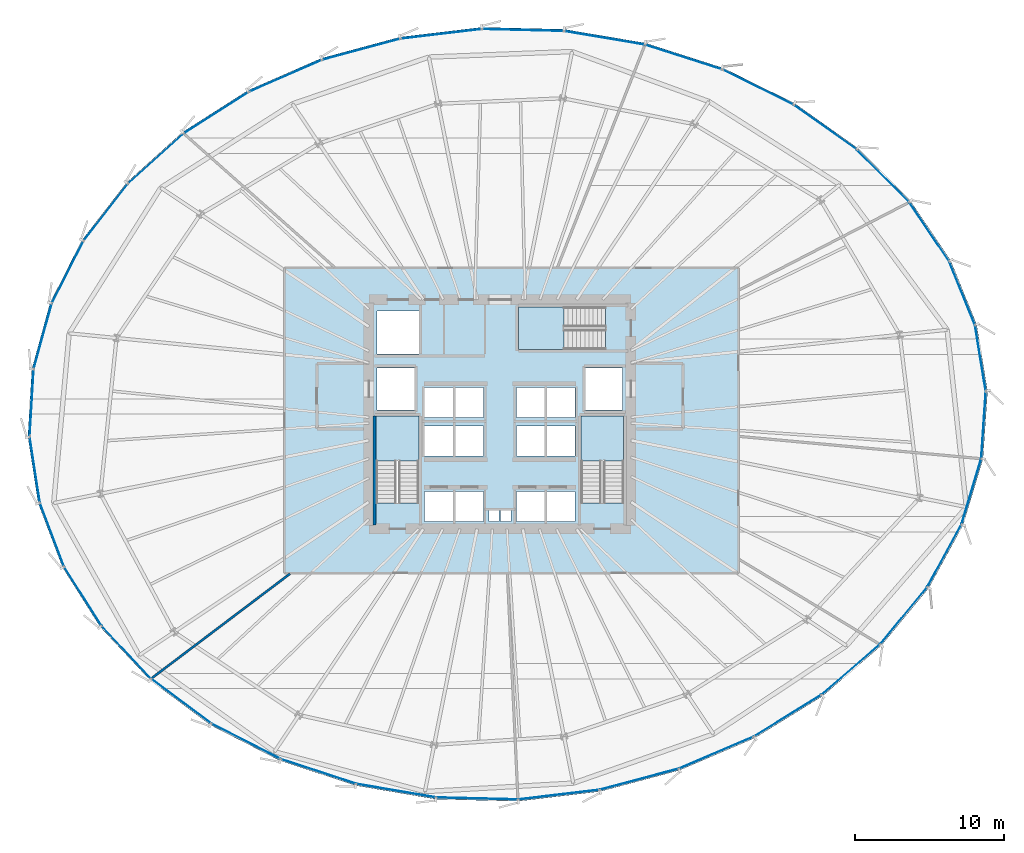
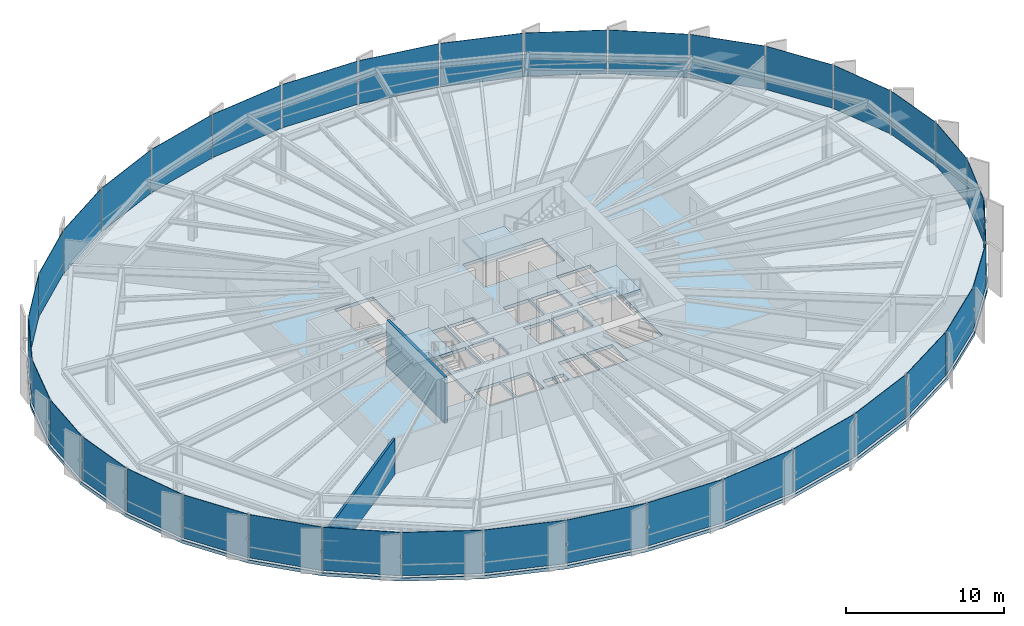
# One storey, part 29 of 39: 36 plates, 4 slabs, 2 walls, 9 elements without a shape of their own.
"""IFC4 building model written with IfcOpenShell, lengths in metres."""

from ifc_helpers import new_model, si_unit, direction, frame, frame_2d, origin, origin_2d, place, context, subcontext, project, spatial, polyline, rectangle, outline, extrude, source, transform, mapped, material, layer, layer_set, type_object, element, aggregate, save


model = new_model("IFC4")

# Units and contexts
model_context = context("Model", 3, precision=1e-05, world=origin(), true_north=direction((0.0, 1.0)))
body_context = subcontext(model_context, "Body", "Model", "MODEL_VIEW")
ifc_project = project(units=[si_unit("LENGTHUNIT", "METRE"), si_unit("AREAUNIT", "SQUARE_METRE"), si_unit("VOLUMEUNIT", "CUBIC_METRE"), si_unit("PLANEANGLEUNIT", "RADIAN"), si_unit("MASSUNIT", "GRAM", prefix="KILO"), si_unit("THERMODYNAMICTEMPERATUREUNIT", "KELVIN")], contexts=[model_context])

# Site, building, storey
site_placement = place(None, origin())
site = spatial("IfcSite", under=ifc_project, at=site_placement, CompositionType="ELEMENT")
building_placement = place(site_placement, origin())
building = spatial("IfcBuilding", under=site, at=building_placement, Name="Kethvar Cultural Tower", CompositionType="ELEMENT")
storey_placement = place(building_placement, frame((0.0, 0.0, 41.0)))
storey = spatial("IfcBuildingStorey", under=building, at=storey_placement, Name="L09", CompositionType="ELEMENT", Elevation=41.0)

# Stair, slab
ifc_material_1 = material(Name="Concrete C40/50", Category="concrete")
stair_type = type_object("IfcStairType", Name="ST-DOGLEG-135", PredefinedType="HALF_TURN_STAIR", material=ifc_material_1)
stair_1_placement = place(storey_placement, origin())
stair_1 = element("IfcStair", 1, at=stair_1_placement, inside=storey, type_object=stair_type, Name="L09 Core Exit Stair 1", PredefinedType="HALF_TURN_STAIR")
ifc_layer_1 = layer(ifc_material_1, 0.199951171875, Name="Concrete C40/50", Category="concrete")
ifc_layer_set_1 = layer_set([ifc_layer_1], Name="Concrete C40/50 (200 mm)")
slab_type_1 = type_object("IfcSlabType", Name="SL-STAIR-LANDING-200", PredefinedType="LANDING", material=ifc_layer_set_1)
slab_1_placement = place(storey_placement, frame((0.0, 0.0, 1.699951171875)))
slab_1 = element("IfcSlab", 2, at=slab_1_placement, type_object=slab_type_1, Name="ST-01 landing 1", PredefinedType="LANDING", context=body_context, shape_type="SweptSolid", body=[
    extrude(outline(polyline([(41.35009765625, 24.64990234375), (41.35009765625, 27.699951171875), (38.489990234375, 27.699951171875), (38.489990234375, 24.64990234375), (41.35009765625, 24.64990234375)])), origin(), (0.0, 0.0, 1.0), 0.199951171875),
])
aggregate(stair_1, [slab_1])

stair_2_placement = place(storey_placement, origin())
stair_2 = element("IfcStair", 3, at=stair_2_placement, inside=storey, type_object=stair_type, Name="L09 Core Exit Stair 2", PredefinedType="HALF_TURN_STAIR")
slab_2_placement = place(storey_placement, frame((0.0, 0.0, 1.699951171875)))
slab_2 = element("IfcSlab", 4, at=slab_2_placement, type_object=slab_type_1, Name="ST-02 landing 1", PredefinedType="LANDING", context=body_context, shape_type="SweptSolid", body=[
    extrude(outline(polyline([(55.110107421875, 24.64990234375), (55.110107421875, 27.699951171875), (52.25, 27.699951171875), (52.25, 24.64990234375), (55.110107421875, 24.64990234375)])), origin(), (0.0, 0.0, 1.0), 0.199951171875),
])
aggregate(stair_2, [slab_2])

stair_3_placement = place(storey_placement, origin())
stair_3 = element("IfcStair", 5, at=stair_3_placement, inside=storey, type_object=stair_type, Name="L09 Core Exit Stair 3", PredefinedType="HALF_TURN_STAIR")
slab_3_placement = place(storey_placement, frame((0.0, 0.0, 1.699951171875)))
slab_3 = element("IfcSlab", 6, at=slab_3_placement, type_object=slab_type_1, Name="ST-03 landing 1", PredefinedType="LANDING", context=body_context, shape_type="SweptSolid", body=[
    extrude(outline(polyline([(51.10009765625, 35.010009765625), (48.050048828125, 35.010009765625), (48.050048828125, 32.14990234375), (51.10009765625, 32.14990234375), (51.10009765625, 35.010009765625)])), origin(), (0.0, 0.0, 1.0), 0.199951171875),
])
aggregate(stair_3, [slab_3])

# Slab
ifc_layer_2 = layer(ifc_material_1, 0.25, Name="Concrete C40/50", Category="concrete")
ifc_layer_set_2 = layer_set([ifc_layer_2], Name="Concrete C40/50 (250 mm)")
slab_type_2 = type_object("IfcSlabType", Name="SL-TOW-250", PredefinedType="FLOOR", material=ifc_layer_set_2)
slab_4_placement = place(storey_placement, frame((0.0, 0.0, -0.25)))
element("IfcSlab", 7, at=slab_4_placement, inside=storey, type_object=slab_type_2, Name="L09 Structural Floor Slab", PredefinedType="FLOOR", context=body_context, shape_type="SweptSolid", body=[
    extrude(outline(polyline([(79.55859375, 29.344970703125), (78.824462890625, 33.834228515625), (77.07568359375, 38.13818359375), (74.380615234375, 42.126953125), (70.841796875, 45.68017578125), (66.5908203125, 48.69091796875), (61.778564453125, 51.068603515625), (56.565185546875, 52.741943359375), (51.1123046875, 53.66015625), (45.57421875, 53.794921875), (40.08642578125, 53.14013671875), (34.802734375, 51.7158203125), (29.883544921875, 49.564453125), (25.478271484375, 46.751953125), (21.720947265625, 43.363525390625), (18.7255859375, 39.502197265625), (16.58349609375, 35.285400390625), (15.359130859375, 30.84130859375), (15.09033203125, 26.3046875), (15.784912109375, 21.8134765625), (17.421875, 17.504150390625), (19.95166015625, 13.507568359375), (23.297119140625, 9.9453125), (27.3564453125, 6.925537109375), (32.0068359375, 4.540283203125), (37.106689453125, 2.861328125), (42.5009765625, 1.9404296875), (48.02587890625, 1.80517578125), (53.52685546875, 2.46044921875), (58.869140625, 3.8876953125), (63.90185546875, 6.044189453125), (68.468994140625, 8.864501953125), (72.417724609375, 12.26171875), (75.6064453125, 16.132080078125), (77.914306640625, 20.356689453125), (79.250244140625, 24.806396484375), (79.55859375, 29.344970703125)]), holes=[polyline([(38.489990234375, 21.85009765625), (38.489990234375, 27.699951171875), (41.35009765625, 27.699951171875), (41.35009765625, 21.85009765625), (38.489990234375, 21.85009765625)]), polyline([(52.25, 21.85009765625), (52.25, 27.699951171875), (55.110107421875, 27.699951171875), (55.110107421875, 21.85009765625), (52.25, 21.85009765625)]), polyline([(53.89990234375, 32.14990234375), (48.050048828125, 32.14990234375), (48.050048828125, 35.010009765625), (53.89990234375, 35.010009765625), (53.89990234375, 32.14990234375)]), polyline([(41.75, 22.60009765625), (43.64990234375, 22.60009765625), (43.64990234375, 20.60009765625), (41.75, 20.60009765625), (41.75, 22.60009765625)]), polyline([(43.800048828125, 22.60009765625), (45.699951171875, 22.60009765625), (45.699951171875, 20.60009765625), (43.800048828125, 20.60009765625), (43.800048828125, 22.60009765625)]), polyline([(47.89990234375, 22.60009765625), (49.800048828125, 22.60009765625), (49.800048828125, 20.60009765625), (47.89990234375, 20.60009765625), (47.89990234375, 22.60009765625)]), polyline([(49.949951171875, 22.60009765625), (51.85009765625, 22.60009765625), (51.85009765625, 20.60009765625), (49.949951171875, 20.60009765625), (49.949951171875, 22.60009765625)]), polyline([(41.75, 27.0), (43.64990234375, 27.0), (43.64990234375, 25.0), (41.75, 25.0), (41.75, 27.0)]), polyline([(43.800048828125, 27.0), (45.699951171875, 27.0), (45.699951171875, 25.0), (43.800048828125, 25.0), (43.800048828125, 27.0)]), polyline([(47.89990234375, 27.0), (49.800048828125, 27.0), (49.800048828125, 25.0), (47.89990234375, 25.0), (47.89990234375, 27.0)]), polyline([(49.949951171875, 27.0), (51.85009765625, 27.0), (51.85009765625, 25.0), (49.949951171875, 25.0), (49.949951171875, 27.0)]), polyline([(41.75, 29.60009765625), (43.64990234375, 29.60009765625), (43.64990234375, 27.60009765625), (41.75, 27.60009765625), (41.75, 29.60009765625)]), polyline([(43.800048828125, 29.60009765625), (45.699951171875, 29.60009765625), (45.699951171875, 27.60009765625), (43.800048828125, 27.60009765625), (43.800048828125, 29.60009765625)]), polyline([(47.89990234375, 29.60009765625), (49.800048828125, 29.60009765625), (49.800048828125, 27.60009765625), (47.89990234375, 27.60009765625), (47.89990234375, 29.60009765625)]), polyline([(49.949951171875, 29.60009765625), (51.85009765625, 29.60009765625), (51.85009765625, 27.60009765625), (49.949951171875, 27.60009765625), (49.949951171875, 29.60009765625)]), polyline([(38.550048828125, 30.89990234375), (41.050048828125, 30.89990234375), (41.050048828125, 28.10009765625), (38.550048828125, 28.10009765625), (38.550048828125, 30.89990234375)]), polyline([(52.550048828125, 30.89990234375), (55.050048828125, 30.89990234375), (55.050048828125, 28.10009765625), (52.550048828125, 28.10009765625), (52.550048828125, 30.89990234375)]), polyline([(38.550048828125, 34.75), (41.35009765625, 34.75), (41.35009765625, 31.85009765625), (38.550048828125, 31.85009765625), (38.550048828125, 34.75)]), polyline([(46.050048828125, 21.35009765625), (46.75, 21.35009765625), (46.75, 20.60009765625), (46.050048828125, 20.60009765625), (46.050048828125, 21.35009765625)]), polyline([(46.85009765625, 21.35009765625), (47.550048828125, 21.35009765625), (47.550048828125, 20.60009765625), (46.85009765625, 20.60009765625), (46.85009765625, 21.35009765625)])]), origin(), (0.0, 0.0, 1.0), 0.25),
])

# Curtain wall, plate
ifc_material_2 = material(Name="Aluminium 6063-T6", Category="aluminium")
ifc_layer_3 = layer(ifc_material_2, 0.179931640625, Name="Aluminium 6063-T6", Category="aluminium")
ifc_layer_set_3 = layer_set([ifc_layer_3], Name="Aluminium 6063-T6 (180 mm)")
curtain_wall_type = type_object("IfcCurtainWallType", Name="CW-SYS-02-Z1", PredefinedType="NOTDEFINED", material=ifc_layer_set_3)
curtain_wall_1_placement = place(storey_placement, origin())
curtain_wall_1 = element("IfcCurtainWall", 8, at=curtain_wall_1_placement, inside=storey, type_object=curtain_wall_type, Name="L09 Curtain Wall Run 01", PredefinedType="NOTDEFINED")
ifc_material_3 = material(Name="Insulated Low-E Solar Glass", Category="glass")
ifc_layer_4 = layer(ifc_material_3, 0.031982421875, Name="Insulated Low-E Solar Glass", Category="glass")
ifc_layer_set_4 = layer_set([ifc_layer_4], Name="Insulated Low-E Solar Glass (32 mm)")
plate_type = type_object("IfcPlateType", Name="CW-SYS-02-Z1-PNL", PredefinedType="CURTAIN_PANEL", material=ifc_layer_set_4)
shared_shape_1 = source(origin(), body_context, "Body", "SweptSolid", [
    extrude(rectangle(XDim=4.455322265625, YDim=0.031982421875, at=origin_2d()), origin(), (0.0, 0.0, 1.0), 3.35009765625),
])
plate_1_placement = place(storey_placement, frame((79.072998046875, 31.5703125, 0.099853515625), z_axis=(0.0, 0.0, 1.0), x_axis=(-0.161362681941, 0.986895174209, 0.0)))
plate_1 = element("IfcPlate", 9, at=plate_1_placement, type_object=plate_type, Name="CW-L09-R01 Vision Glazing Panel 1", PredefinedType="CURTAIN_PANEL", context=body_context, shape_type="MappedRepresentation", body=[
    mapped(shared_shape_1, transform((0.0, 0.0, 0.0), scale=1.0)),
])

curtain_wall_2_placement = place(storey_placement, origin())
curtain_wall_2 = element("IfcCurtainWall", 10, at=curtain_wall_2_placement, inside=storey, type_object=curtain_wall_type, Name="L09 Curtain Wall Run 06", PredefinedType="NOTDEFINED")
plate_2_placement = place(storey_placement, frame((79.28466796875, 27.083740234375, 0.099853515625), z_axis=(0.0, 0.0, 1.0), x_axis=(0.067754095204, 0.997702051007, 0.0)))
plate_2 = element("IfcPlate", 11, at=plate_2_placement, type_object=plate_type, Name="CW-L09-R06 Vision Glazing Panel 6", PredefinedType="CURTAIN_PANEL", context=body_context, shape_type="MappedRepresentation", body=[
    mapped(shared_shape_1, transform((0.0, 0.0, 0.0), scale=1.0)),
])

# Plate
shared_shape_2 = source(origin(), body_context, "Body", "SweptSolid", [
    extrude(rectangle(XDim=4.55224609375, YDim=0.031982421875, at=origin_2d()), origin(), (0.0, 0.0, 1.0), 3.35009765625),
])
plate_3_placement = place(storey_placement, frame((77.839111328125, 35.941162109375, 0.099853515625), z_axis=(0.0, 0.0, 1.0), x_axis=(-0.376402136932, 0.926456383924, 0.0)))
plate_3 = element("IfcPlate", 12, at=plate_3_placement, type_object=plate_type, Name="CW-L09-R01 Vision Glazing Panel 2", PredefinedType="CURTAIN_PANEL", context=body_context, shape_type="MappedRepresentation", body=[
    mapped(shared_shape_2, transform((0.0, 0.0, 0.0), scale=1.0)),
])

plate_4_placement = place(storey_placement, frame((78.46728515625, 22.6162109375, 0.099853515625), z_axis=(0.0, 0.0, 1.0), x_axis=(0.28756111942, 0.957762289192, 0.0)))
plate_4 = element("IfcPlate", 13, at=plate_4_placement, type_object=plate_type, Name="CW-L09-R06 Vision Glazing Panel 5", PredefinedType="CURTAIN_PANEL", context=body_context, shape_type="MappedRepresentation", body=[
    mapped(shared_shape_2, transform((0.0, 0.0, 0.0), scale=1.0)),
])

shared_shape_3 = source(origin(), body_context, "Body", "SweptSolid", [
    extrude(rectangle(XDim=4.72021484375, YDim=0.031982421875, at=origin_2d()), origin(), (0.0, 0.0, 1.0), 3.35009765625),
])
plate_5_placement = place(storey_placement, frame((75.628662109375, 40.0654296875, 0.099853515625), z_axis=(0.0, 0.0, 1.0), x_axis=(-0.559887240051, 0.828568813333, 0.0)))
plate_5 = element("IfcPlate", 14, at=plate_5_placement, type_object=plate_type, Name="CW-L09-R01 Vision Glazing Panel 3", PredefinedType="CURTAIN_PANEL", context=body_context, shape_type="MappedRepresentation", body=[
    mapped(shared_shape_3, transform((0.0, 0.0, 0.0), scale=1.0)),
])

shared_shape_4 = source(origin(), body_context, "Body", "SweptSolid", [
    extrude(rectangle(XDim=4.921142578125, YDim=0.031982421875, at=origin_2d()), origin(), (0.0, 0.0, 1.0), 3.35009765625),
])
plate_6_placement = place(storey_placement, frame((72.526123046875, 43.81884765625, 0.099853515625), z_axis=(0.0, 0.0, 1.0), x_axis=(-0.70567373736, 0.708536926631, 0.0)))
plate_6 = element("IfcPlate", 15, at=plate_6_placement, type_object=plate_type, Name="CW-L09-R01 Vision Glazing Panel 4", PredefinedType="CURTAIN_PANEL", context=body_context, shape_type="MappedRepresentation", body=[
    mapped(shared_shape_4, transform((0.0, 0.0, 0.0), scale=1.0)),
])

plate_7_placement = place(storey_placement, frame((73.91943359375, 14.273193359375, 0.099853515625), z_axis=(0.0, 0.0, 1.0), x_axis=(0.635862717246, 0.771802179847, 0.0)))
plate_7 = element("IfcPlate", 16, at=plate_7_placement, type_object=plate_type, Name="CW-L09-R06 Vision Glazing Panel 3", PredefinedType="CURTAIN_PANEL", context=body_context, shape_type="MappedRepresentation", body=[
    mapped(shared_shape_4, transform((0.0, 0.0, 0.0), scale=1.0)),
])

shared_shape_5 = source(origin(), body_context, "Body", "SweptSolid", [
    extrude(rectangle(XDim=5.115478515625, YDim=0.031982421875, at=origin_2d()), origin(), (0.0, 0.0, 1.0), 3.35009765625),
])
plate_8_placement = place(storey_placement, frame((68.64697265625, 47.08740234375, 0.099853515625), z_axis=(0.0, 0.0, 1.0), x_axis=(-0.816046810348, 0.577985815847, 0.0)))
plate_8 = element("IfcPlate", 17, at=plate_8_placement, type_object=plate_type, Name="CW-L09-R01 Vision Glazing Panel 5", PredefinedType="CURTAIN_PANEL", context=body_context, shape_type="MappedRepresentation", body=[
    mapped(shared_shape_5, transform((0.0, 0.0, 0.0), scale=1.0)),
])

plate_9_placement = place(storey_placement, frame((70.364990234375, 10.654052734375, 0.099853515625), z_axis=(0.0, 0.0, 1.0), x_axis=(0.758031895467, 0.652217483248, 0.0)))
plate_9 = element("IfcPlate", 18, at=plate_9_placement, type_object=plate_type, Name="CW-L09-R06 Vision Glazing Panel 2", PredefinedType="CURTAIN_PANEL", context=body_context, shape_type="MappedRepresentation", body=[
    mapped(shared_shape_5, transform((0.0, 0.0, 0.0), scale=1.0)),
])

shared_shape_6 = source(origin(), body_context, "Body", "SweptSolid", [
    extrude(rectangle(XDim=5.274169921875, YDim=0.031982421875, at=origin_2d()), origin(), (0.0, 0.0, 1.0), 3.35009765625),
])
plate_10_placement = place(storey_placement, frame((64.131591796875, 49.772216796875, 0.099853515625), z_axis=(0.0, 0.0, 1.0), x_axis=(-0.896532823774, 0.442977308555, 0.0)))
plate_10 = element("IfcPlate", 19, at=plate_10_placement, type_object=plate_type, Name="CW-L09-R01 Vision Glazing Panel 6", PredefinedType="CURTAIN_PANEL", context=body_context, shape_type="MappedRepresentation", body=[
    mapped(shared_shape_6, transform((0.0, 0.0, 0.0), scale=1.0)),
])

aggregate(curtain_wall_1, [plate_1, plate_3, plate_5, plate_6, plate_8, plate_10])

# Curtain wall, plate
curtain_wall_3_placement = place(storey_placement, origin())
curtain_wall_3 = element("IfcCurtainWall", 20, at=curtain_wall_3_placement, inside=storey, type_object=curtain_wall_type, Name="L09 Curtain Wall Run 02", PredefinedType="NOTDEFINED")
shared_shape_7 = source(origin(), body_context, "Body", "SweptSolid", [
    extrude(rectangle(XDim=5.3818359375, YDim=0.031982421875, at=origin_2d()), origin(), (0.0, 0.0, 1.0), 3.35009765625),
])
plate_11_placement = place(storey_placement, frame((59.13525390625, 51.791015625, 0.099853515625), z_axis=(0.0, 0.0, 1.0), x_axis=(-0.952161399859, 0.30559559653, 0.0)))
plate_11 = element("IfcPlate", 21, at=plate_11_placement, type_object=plate_type, Name="CW-L09-R02 Vision Glazing Panel 1", PredefinedType="CURTAIN_PANEL", context=body_context, shape_type="MappedRepresentation", body=[
    mapped(shared_shape_7, transform((0.0, 0.0, 0.0), scale=1.0)),
])

curtain_wall_4_placement = place(storey_placement, origin())
curtain_wall_4 = element("IfcCurtainWall", 22, at=curtain_wall_4_placement, inside=storey, type_object=curtain_wall_type, Name="L09 Curtain Wall Run 05", PredefinedType="NOTDEFINED")
plate_12_placement = place(storey_placement, frame((61.33837890625, 5.076416015625, 0.099853515625), z_axis=(0.0, 0.0, 1.0), x_axis=(0.919162839349, 0.393877740879, 0.0)))
plate_12 = element("IfcPlate", 23, at=plate_12_placement, type_object=plate_type, Name="CW-L09-R05 Vision Glazing Panel 6", PredefinedType="CURTAIN_PANEL", context=body_context, shape_type="MappedRepresentation", body=[
    mapped(shared_shape_7, transform((0.0, 0.0, 0.0), scale=1.0)),
])

# Plate
shared_shape_8 = source(origin(), body_context, "Body", "SweptSolid", [
    extrude(rectangle(XDim=5.43603515625, YDim=0.031982421875, at=origin_2d()), origin(), (0.0, 0.0, 1.0), 3.35009765625),
])
plate_13_placement = place(storey_placement, frame((53.818603515625, 53.082763671875, 0.099853515625), z_axis=(0.0, 0.0, 1.0), x_axis=(-0.986115121827, 0.166063140111, 0.0)))
plate_13 = element("IfcPlate", 24, at=plate_13_placement, type_object=plate_type, Name="CW-L09-R02 Vision Glazing Panel 2", PredefinedType="CURTAIN_PANEL", context=body_context, shape_type="MappedRepresentation", body=[
    mapped(shared_shape_8, transform((0.0, 0.0, 0.0), scale=1.0)),
])

plate_14_placement = place(storey_placement, frame((56.1669921875, 3.2900390625, 0.099853515625), z_axis=(0.0, 0.0, 1.0), x_axis=(0.966115291023, 0.258110915016, 0.0)))
plate_14 = element("IfcPlate", 25, at=plate_14_placement, type_object=plate_type, Name="CW-L09-R05 Vision Glazing Panel 5", PredefinedType="CURTAIN_PANEL", context=body_context, shape_type="MappedRepresentation", body=[
    mapped(shared_shape_8, transform((0.0, 0.0, 0.0), scale=1.0)),
])

shared_shape_9 = source(origin(), body_context, "Body", "SweptSolid", [
    extrude(rectangle(XDim=5.446044921875, YDim=0.031982421875, at=origin_2d()), origin(), (0.0, 0.0, 1.0), 3.35009765625),
])
plate_15_placement = place(storey_placement, frame((48.340087890625, 53.607666015625, 0.099853515625), z_axis=(0.0, 0.0, 1.0), x_axis=(-0.999704891412, 0.024292593255, 0.0)))
plate_15 = element("IfcPlate", 26, at=plate_15_placement, type_object=plate_type, Name="CW-L09-R02 Vision Glazing Panel 3", PredefinedType="CURTAIN_PANEL", context=body_context, shape_type="MappedRepresentation", body=[
    mapped(shared_shape_9, transform((0.0, 0.0, 0.0), scale=1.0)),
])

plate_16_placement = place(storey_placement, frame((50.76220703125, 2.251953125, 0.099853515625), z_axis=(0.0, 0.0, 1.0), x_axis=(0.99298203074, 0.118265323013, 0.0)))
plate_16 = element("IfcPlate", 27, at=plate_16_placement, type_object=plate_type, Name="CW-L09-R05 Vision Glazing Panel 4", PredefinedType="CURTAIN_PANEL", context=body_context, shape_type="MappedRepresentation", body=[
    mapped(shared_shape_9, transform((0.0, 0.0, 0.0), scale=1.0)),
])

shared_shape_10 = source(origin(), body_context, "Body", "SweptSolid", [
    extrude(rectangle(XDim=5.432861328125, YDim=0.031982421875, at=origin_2d()), origin(), (0.0, 0.0, 1.0), 3.35009765625),
])
plate_17_placement = place(storey_placement, frame((42.844482421875, 53.348388671875, 0.099853515625), z_axis=(0.0, 0.0, 1.0), x_axis=(-0.992961374423, -0.118438629269, 0.0)))
plate_17 = element("IfcPlate", 28, at=plate_17_placement, type_object=plate_type, Name="CW-L09-R02 Vision Glazing Panel 4", PredefinedType="CURTAIN_PANEL", context=body_context, shape_type="MappedRepresentation", body=[
    mapped(shared_shape_10, transform((0.0, 0.0, 0.0), scale=1.0)),
])

shared_shape_11 = source(origin(), body_context, "Body", "SweptSolid", [
    extrude(rectangle(XDim=5.37890625, YDim=0.031982421875, at=origin_2d()), origin(), (0.0, 0.0, 1.0), 3.35009765625),
])
plate_18_placement = place(storey_placement, frame((37.475830078125, 52.31201171875, 0.099853515625), z_axis=(0.0, 0.0, 1.0), x_axis=(-0.96552716964, -0.260302294816, 0.0)))
plate_18 = element("IfcPlate", 29, at=plate_18_placement, type_object=plate_type, Name="CW-L09-R02 Vision Glazing Panel 5", PredefinedType="CURTAIN_PANEL", context=body_context, shape_type="MappedRepresentation", body=[
    mapped(shared_shape_11, transform((0.0, 0.0, 0.0), scale=1.0)),
])

plate_19_placement = place(storey_placement, frame((39.823974609375, 2.519287109375, 0.099853515625), z_axis=(0.0, 0.0, 1.0), x_axis=(0.985738735803, -0.168282930619, 0.0)))
plate_19 = element("IfcPlate", 30, at=plate_19_placement, type_object=plate_type, Name="CW-L09-R05 Vision Glazing Panel 2", PredefinedType="CURTAIN_PANEL", context=body_context, shape_type="MappedRepresentation", body=[
    mapped(shared_shape_11, transform((0.0, 0.0, 0.0), scale=1.0)),
])

shared_shape_12 = source(origin(), body_context, "Body", "SweptSolid", [
    extrude(rectangle(XDim=5.275390625, YDim=0.031982421875, at=origin_2d()), origin(), (0.0, 0.0, 1.0), 3.35009765625),
])
plate_20_placement = place(storey_placement, frame((32.39111328125, 50.530029296875, 0.099853515625), z_axis=(0.0, 0.0, 1.0), x_axis=(-0.916215932431, -0.400684870141, 0.0)))
plate_20 = element("IfcPlate", 31, at=plate_20_placement, type_object=plate_type, Name="CW-L09-R02 Vision Glazing Panel 6", PredefinedType="CURTAIN_PANEL", context=body_context, shape_type="MappedRepresentation", body=[
    mapped(shared_shape_12, transform((0.0, 0.0, 0.0), scale=1.0)),
])

aggregate(curtain_wall_3, [plate_11, plate_13, plate_15, plate_17, plate_18, plate_20])

plate_21_placement = place(storey_placement, frame((34.59423828125, 3.814697265625, 0.099853515625), z_axis=(0.0, 0.0, 1.0), x_axis=(0.949857510993, -0.312683080468, 0.0)))
plate_21 = element("IfcPlate", 32, at=plate_21_placement, type_object=plate_type, Name="CW-L09-R05 Vision Glazing Panel 1", PredefinedType="CURTAIN_PANEL", context=body_context, shape_type="MappedRepresentation", body=[
    mapped(shared_shape_12, transform((0.0, 0.0, 0.0), scale=1.0)),
])

# Curtain wall, plate
curtain_wall_5_placement = place(storey_placement, origin())
curtain_wall_5 = element("IfcCurtainWall", 33, at=curtain_wall_5_placement, inside=storey, type_object=curtain_wall_type, Name="L09 Curtain Wall Run 03", PredefinedType="NOTDEFINED")
shared_shape_13 = source(origin(), body_context, "Body", "SweptSolid", [
    extrude(rectangle(XDim=5.1328125, YDim=0.031982421875, at=origin_2d()), origin(), (0.0, 0.0, 1.0), 3.35009765625),
])
plate_22_placement = place(storey_placement, frame((27.745361328125, 48.056884765625, 0.099853515625), z_axis=(0.0, 0.0, 1.0), x_axis=(-0.842865894814, -0.538123669206, 0.0)))
plate_22 = element("IfcPlate", 34, at=plate_22_placement, type_object=plate_type, Name="CW-L09-R03 Vision Glazing Panel 1", PredefinedType="CURTAIN_PANEL", context=body_context, shape_type="MappedRepresentation", body=[
    mapped(shared_shape_13, transform((0.0, 0.0, 0.0), scale=1.0)),
])

curtain_wall_6_placement = place(storey_placement, origin())
curtain_wall_6 = element("IfcCurtainWall", 35, at=curtain_wall_6_placement, inside=storey, type_object=curtain_wall_type, Name="L09 Curtain Wall Run 04", PredefinedType="NOTDEFINED")
plate_23_placement = place(storey_placement, frame((29.736328125, 5.839599609375, 0.099853515625), z_axis=(0.0, 0.0, 1.0), x_axis=(0.889767137003, -0.4564147696, 0.0)))
plate_23 = element("IfcPlate", 36, at=plate_23_placement, type_object=plate_type, Name="CW-L09-R04 Vision Glazing Panel 6", PredefinedType="CURTAIN_PANEL", context=body_context, shape_type="MappedRepresentation", body=[
    mapped(shared_shape_13, transform((0.0, 0.0, 0.0), scale=1.0)),
])

# Plate
shared_shape_14 = source(origin(), body_context, "Body", "SweptSolid", [
    extrude(rectangle(XDim=4.9658203125, YDim=0.031982421875, at=origin_2d()), origin(), (0.0, 0.0, 1.0), 3.35009765625),
])
plate_24_placement = place(storey_placement, frame((23.679931640625, 44.968505859375, 0.099853515625), z_axis=(0.0, 0.0, 1.0), x_axis=(-0.74263075098, -0.669701103254, 0.0)))
plate_24 = element("IfcPlate", 37, at=plate_24_placement, type_object=plate_type, Name="CW-L09-R03 Vision Glazing Panel 2", PredefinedType="CURTAIN_PANEL", context=body_context, shape_type="MappedRepresentation", body=[
    mapped(shared_shape_14, transform((0.0, 0.0, 0.0), scale=1.0)),
])

plate_25_placement = place(storey_placement, frame((25.3984375, 8.53173828125, 0.099853515625), z_axis=(0.0, 0.0, 1.0), x_axis=(0.802359370675, -0.596841218659, 0.0)))
plate_25 = element("IfcPlate", 38, at=plate_25_placement, type_object=plate_type, Name="CW-L09-R04 Vision Glazing Panel 5", PredefinedType="CURTAIN_PANEL", context=body_context, shape_type="MappedRepresentation", body=[
    mapped(shared_shape_14, transform((0.0, 0.0, 0.0), scale=1.0)),
])

shared_shape_15 = source(origin(), body_context, "Body", "SweptSolid", [
    extrude(rectangle(XDim=4.793212890625, YDim=0.031982421875, at=origin_2d()), origin(), (0.0, 0.0, 1.0), 3.35009765625),
])
plate_26_placement = place(storey_placement, frame((20.318115234375, 41.359375, 0.099853515625), z_axis=(0.0, 0.0, 1.0), x_axis=(-0.612934634893, -0.790133617402, 0.0)))
plate_26 = element("IfcPlate", 39, at=plate_26_placement, type_object=plate_type, Name="CW-L09-R03 Vision Glazing Panel 3", PredefinedType="CURTAIN_PANEL", context=body_context, shape_type="MappedRepresentation", body=[
    mapped(shared_shape_15, transform((0.0, 0.0, 0.0), scale=1.0)),
])

plate_27_placement = place(storey_placement, frame((21.7119140625, 11.80859375, 0.099853515625), z_axis=(0.0, 0.0, 1.0), x_axis=(0.684572551317, -0.728944731776, 0.0)))
plate_27 = element("IfcPlate", 40, at=plate_27_placement, type_object=plate_type, Name="CW-L09-R04 Vision Glazing Panel 4", PredefinedType="CURTAIN_PANEL", context=body_context, shape_type="MappedRepresentation", body=[
    mapped(shared_shape_15, transform((0.0, 0.0, 0.0), scale=1.0)),
])

shared_shape_16 = source(origin(), body_context, "Body", "SweptSolid", [
    extrude(rectangle(XDim=4.635986328125, YDim=0.031982421875, at=origin_2d()), origin(), (0.0, 0.0, 1.0), 3.35009765625),
])
plate_28_placement = place(storey_placement, frame((17.761474609375, 37.339599609375, 0.099853515625), z_axis=(0.0, 0.0, 1.0), x_axis=(-0.452932712423, -0.891544703319, 0.0)))
plate_28 = element("IfcPlate", 41, at=plate_28_placement, type_object=plate_type, Name="CW-L09-R03 Vision Glazing Panel 4", PredefinedType="CURTAIN_PANEL", context=body_context, shape_type="MappedRepresentation", body=[
    mapped(shared_shape_16, transform((0.0, 0.0, 0.0), scale=1.0)),
])

shared_shape_17 = source(origin(), body_context, "Body", "SweptSolid", [
    extrude(rectangle(XDim=4.51611328125, YDim=0.031982421875, at=origin_2d()), origin(), (0.0, 0.0, 1.0), 3.35009765625),
])
plate_29_placement = place(storey_placement, frame((16.0869140625, 33.031494140625, 0.099853515625), z_axis=(0.0, 0.0, 1.0), x_axis=(-0.265572944085, -0.964090769259, 0.0)))
plate_29 = element("IfcPlate", 42, at=plate_29_placement, type_object=plate_type, Name="CW-L09-R03 Vision Glazing Panel 5", PredefinedType="CURTAIN_PANEL", context=body_context, shape_type="MappedRepresentation", body=[
    mapped(shared_shape_17, transform((0.0, 0.0, 0.0), scale=1.0)),
])

plate_30_placement = place(storey_placement, frame((16.715576171875, 19.701416015625, 0.099853515625), z_axis=(0.0, 0.0, 1.0), x_axis=(0.35512327814, -0.934819478468, 0.0)))
plate_30 = element("IfcPlate", 43, at=plate_30_placement, type_object=plate_type, Name="CW-L09-R04 Vision Glazing Panel 2", PredefinedType="CURTAIN_PANEL", context=body_context, shape_type="MappedRepresentation", body=[
    mapped(shared_shape_17, transform((0.0, 0.0, 0.0), scale=1.0)),
])

shared_shape_18 = source(origin(), body_context, "Body", "SweptSolid", [
    extrude(rectangle(XDim=4.451171875, YDim=0.031982421875, at=origin_2d()), origin(), (0.0, 0.0, 1.0), 3.35009765625),
])
plate_31_placement = place(storey_placement, frame((15.344482421875, 28.56591796875, 0.099853515625), z_axis=(0.0, 0.0, 1.0), x_axis=(-0.059166992425, -0.998248098925, 0.0)))
plate_31 = element("IfcPlate", 44, at=plate_31_placement, type_object=plate_type, Name="CW-L09-R03 Vision Glazing Panel 6", PredefinedType="CURTAIN_PANEL", context=body_context, shape_type="MappedRepresentation", body=[
    mapped(shared_shape_18, transform((0.0, 0.0, 0.0), scale=1.0)),
])

aggregate(curtain_wall_5, [plate_22, plate_24, plate_26, plate_28, plate_29, plate_31])

shared_shape_19 = source(origin(), body_context, "Body", "SweptSolid", [
    extrude(rectangle(XDim=4.450927734375, YDim=0.031982421875, at=origin_2d()), origin(), (0.0, 0.0, 1.0), 3.35009765625),
])
plate_32_placement = place(storey_placement, frame((15.55615234375, 24.077392578125, 0.099853515625), z_axis=(0.0, 0.0, 1.0), x_axis=(0.152847852081, -0.988249732666, 0.0)))
plate_32 = element("IfcPlate", 45, at=plate_32_placement, type_object=plate_type, Name="CW-L09-R04 Vision Glazing Panel 1", PredefinedType="CURTAIN_PANEL", context=body_context, shape_type="MappedRepresentation", body=[
    mapped(shared_shape_19, transform((0.0, 0.0, 0.0), scale=1.0)),
])

shared_shape_20 = source(origin(), body_context, "Body", "SweptSolid", [
    extrude(rectangle(XDim=4.63623046875, YDim=0.031982421875, at=origin_2d()), origin(), (0.0, 0.0, 1.0), 3.35009765625),
])
plate_33_placement = place(storey_placement, frame((18.7880859375, 15.570068359375, 0.099853515625), z_axis=(0.0, 0.0, 1.0), x_axis=(0.5348390966, -0.844953928181, 0.0)))
plate_33 = element("IfcPlate", 46, at=plate_33_placement, type_object=plate_type, Name="CW-L09-R04 Vision Glazing Panel 3", PredefinedType="CURTAIN_PANEL", context=body_context, shape_type="MappedRepresentation", body=[
    mapped(shared_shape_20, transform((0.0, 0.0, 0.0), scale=1.0)),
])

aggregate(curtain_wall_6, [plate_32, plate_30, plate_33, plate_27, plate_25, plate_23])

shared_shape_21 = source(origin(), body_context, "Body", "SweptSolid", [
    extrude(rectangle(XDim=5.43310546875, YDim=0.031982421875, at=origin_2d()), origin(), (0.0, 0.0, 1.0), 3.35009765625),
])
plate_34_placement = place(storey_placement, frame((45.266357421875, 1.992919921875, 0.099853515625), z_axis=(0.0, 0.0, 1.0), x_axis=(0.999700209145, -0.024484522367, 0.0)))
plate_34 = element("IfcPlate", 47, at=plate_34_placement, type_object=plate_type, Name="CW-L09-R05 Vision Glazing Panel 3", PredefinedType="CURTAIN_PANEL", context=body_context, shape_type="MappedRepresentation", body=[
    mapped(shared_shape_21, transform((0.0, 0.0, 0.0), scale=1.0)),
])

aggregate(curtain_wall_4, [plate_21, plate_19, plate_34, plate_16, plate_14, plate_12])

shared_shape_22 = source(origin(), body_context, "Body", "SweptSolid", [
    extrude(rectangle(XDim=5.27392578125, YDim=0.031982421875, at=origin_2d()), origin(), (0.0, 0.0, 1.0), 3.35009765625),
])
plate_35_placement = place(storey_placement, frame((66.12255859375, 7.556396484375, 0.099853515625), z_axis=(0.0, 0.0, 1.0), x_axis=(0.850866132021, 0.52538255146, 0.0)))
plate_35 = element("IfcPlate", 48, at=plate_35_placement, type_object=plate_type, Name="CW-L09-R06 Vision Glazing Panel 1", PredefinedType="CURTAIN_PANEL", context=body_context, shape_type="MappedRepresentation", body=[
    mapped(shared_shape_22, transform((0.0, 0.0, 0.0), scale=1.0)),
])

shared_shape_23 = source(origin(), body_context, "Body", "SweptSolid", [
    extrude(rectangle(XDim=4.720458984375, YDim=0.031982421875, at=origin_2d()), origin(), (0.0, 0.0, 1.0), 3.35009765625),
])
plate_36_placement = place(storey_placement, frame((76.655029296875, 18.302001953125, 0.099853515625), z_axis=(0.0, 0.0, 1.0), x_axis=(0.479442543786, 0.877573271703, 0.0)))
plate_36 = element("IfcPlate", 49, at=plate_36_placement, type_object=plate_type, Name="CW-L09-R06 Vision Glazing Panel 4", PredefinedType="CURTAIN_PANEL", context=body_context, shape_type="MappedRepresentation", body=[
    mapped(shared_shape_23, transform((0.0, 0.0, 0.0), scale=1.0)),
])

aggregate(curtain_wall_2, [plate_35, plate_9, plate_7, plate_36, plate_4, plate_2])

# Walls
ifc_material_4 = material(Name="Gypsum Acoustic Partition")
ifc_layer_5 = layer(ifc_material_4, 0.14990234375, Name="Gypsum Acoustic Partition")
ifc_layer_set_5 = layer_set([ifc_layer_5], Name="Gypsum Acoustic Partition (150 mm)")
wall_type_1 = type_object("IfcWallType", Name="WL-PART-150", PredefinedType="PARTITIONING", material=ifc_layer_set_5)
wall_1_placement = place(storey_placement, frame((32.703857421875, 17.091796875, 0.0), z_axis=(0.0, 0.0, 1.0), x_axis=(-0.797998359946, -0.602659619954, 0.0)))
element("IfcWall", 50, at=wall_1_placement, inside=storey, type_object=wall_type_1, Name="L09 Radial Partition Wall 01", PredefinedType="PARTITIONING", context=body_context, shape_type="SweptSolid", body=[
    extrude(rectangle(XDim=11.58837890625, YDim=0.14990234375, at=frame_2d((5.794189453125, 0.0))), origin(), (0.0, 0.0, 1.0), 2.784912109375),
])
ifc_material_5 = material(Name="Concrete C50/60", Category="concrete")
ifc_layer_6 = layer(ifc_material_5, 0.199951171875, Name="Concrete C50/60", Category="concrete")
ifc_layer_set_6 = layer_set([ifc_layer_6], Name="Concrete C50/60 (200 mm)")
wall_type_2 = type_object("IfcWallType", Name="WL-STSHAFT-200", PredefinedType="SHEAR", material=ifc_layer_set_6)
wall_2_placement = place(storey_placement, frame((38.389892578125, 20.35009765625, 0.0), z_axis=(0.0, 0.0, 1.0), x_axis=(0.0, 1.0, 0.0)))
element("IfcWall", 51, at=wall_2_placement, inside=storey, type_object=wall_type_2, Name="L09 ST-01 Stair Shaft Wall RIGHT", PredefinedType="SHEAR", context=body_context, shape_type="SweptSolid", body=[
    extrude(rectangle(XDim=7.349853515625, YDim=0.199951171875, at=frame_2d((3.6748046875, 0.0))), origin(), (0.0, 0.0, 1.0), 3.550048828125),
])

save(model, "model.ifc")
